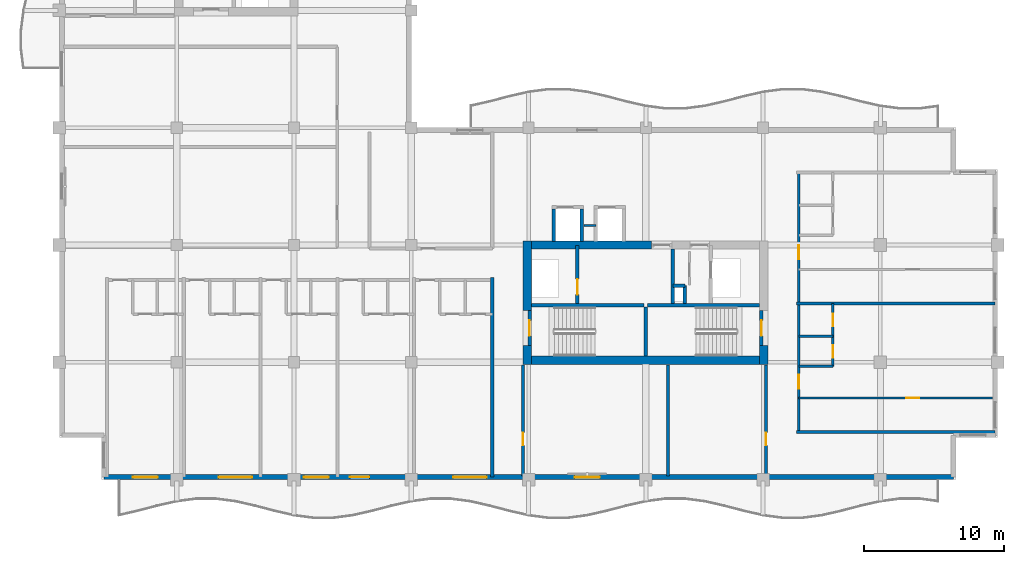
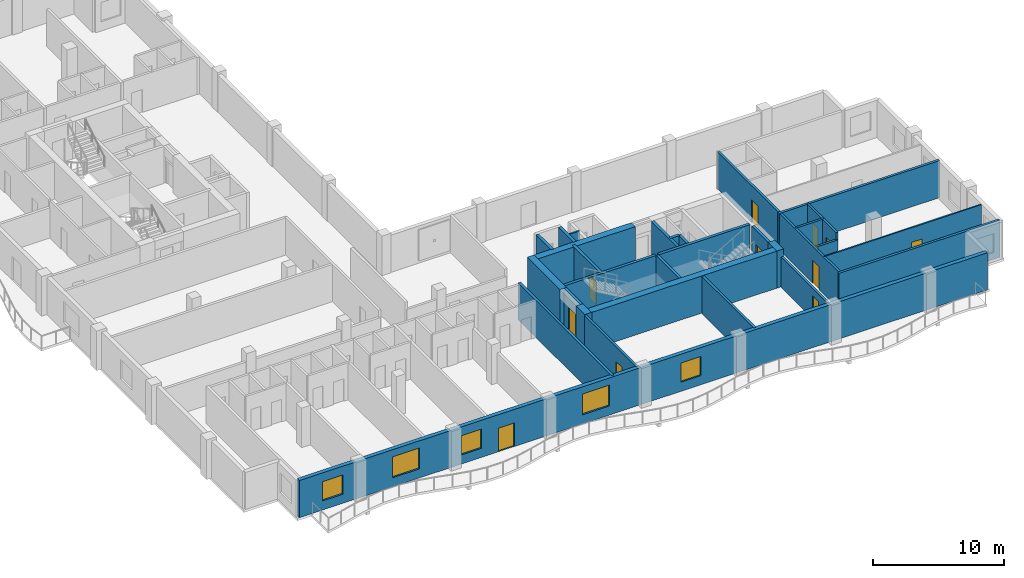
# One storey, part 4 of 12: 29 walls, 11 doors, 5 windows, 16 openings.
"""IFC4 building model written with IfcOpenShell, lengths in metres."""

from ifc_helpers import new_model, si_unit, direction, frame, frame_2d, origin, place, context, subcontext, project, spatial, rectangle, extrude, material, layer, layer_set, type_object, element, fill, save


model = new_model("IFC4")

# Units and contexts
model_context = context("Model", 3, precision=1e-05, world=origin(), true_north=direction((0.0, 1.0)))
body_context = subcontext(model_context, "Body", "Model", "MODEL_VIEW")
ifc_project = project(units=[si_unit("LENGTHUNIT", "METRE"), si_unit("AREAUNIT", "SQUARE_METRE"), si_unit("VOLUMEUNIT", "CUBIC_METRE"), si_unit("PLANEANGLEUNIT", "RADIAN"), si_unit("MASSUNIT", "GRAM", prefix="KILO")], contexts=[model_context])

# Site, building, storey
site_placement = place(None, origin())
site = spatial("IfcSite", under=ifc_project, at=site_placement, CompositionType="ELEMENT")
building_placement = place(site_placement, origin())
building = spatial("IfcBuilding", under=site, at=building_placement, Name="Koriwani Terraces Tower", CompositionType="ELEMENT")
storey_placement = place(building_placement, frame((0.0, 0.0, 278.60009765625)))
storey = spatial("IfcBuildingStorey", under=building, at=storey_placement, Name="L69", CompositionType="ELEMENT", Elevation=278.60009765625)

# Walls
ifc_material_1 = material(Name="Concrete C60/75", Category="concrete")
ifc_layer_1 = layer(ifc_material_1, 0.60009765625, Name="Concrete C60/75")
ifc_layer_set_1 = layer_set([ifc_layer_1], Name="Concrete C60/75")
wall_type_1 = type_object("IfcWallType", Name="WALL_CORE_RC_600", PredefinedType="SHEAR", material=ifc_layer_set_1)
wall_1_placement = place(storey_placement, frame((41.89990234375, 16.64990234375, 0.0), z_axis=(0.0, 0.0, 1.0), x_axis=(0.0, 1.0, 0.0)))
element("IfcWall", 1, at=wall_1_placement, inside=storey, type_object=wall_type_1, Name="L69 East Split Core Shear Wall W1", PredefinedType="SHEAR", context=body_context, shape_type="SweptSolid", body=[
    extrude(rectangle(XDim=1.35009765625, YDim=0.60009765625, at=frame_2d((0.675048828125, 0.0))), origin(), (0.0, 0.0, 1.0), 3.469970703125),
])
wall_2_placement = place(storey_placement, frame((41.89990234375, 20.5, 0.0), z_axis=(0.0, 0.0, 1.0), x_axis=(0.0, 1.0, 0.0)))
element("IfcWall", 2, at=wall_2_placement, inside=storey, type_object=wall_type_1, Name="L69 East Split Core Shear Wall W2", PredefinedType="SHEAR", context=body_context, shape_type="SweptSolid", body=[
    extrude(rectangle(XDim=5.0, YDim=0.60009765625, at=frame_2d((2.5, 0.0))), origin(), (0.0, 0.0, 1.0), 3.469970703125),
])
wall_3_placement = place(storey_placement, frame((58.85009765625, 16.64990234375, 0.0), z_axis=(0.0, 0.0, 1.0), x_axis=(0.0, 1.0, 0.0)))
element("IfcWall", 3, at=wall_3_placement, inside=storey, type_object=wall_type_1, Name="L69 East Split Core Shear Wall E1", PredefinedType="SHEAR", context=body_context, shape_type="SweptSolid", body=[
    extrude(rectangle(XDim=1.35009765625, YDim=0.60009765625, at=frame_2d((0.675048828125, 0.0))), origin(), (0.0, 0.0, 1.0), 3.469970703125),
])
wall_4_placement = place(storey_placement, frame((42.199951171875, 16.949951171875, 0.0), z_axis=(0.0, 0.0, 1.0), x_axis=(1.0, 0.0, 0.0)))
element("IfcWall", 4, at=wall_4_placement, inside=storey, type_object=wall_type_1, Name="L69 East Split Core Shear Wall S1", PredefinedType="SHEAR", context=body_context, shape_type="SweptSolid", body=[
    extrude(rectangle(XDim=16.35009765625, YDim=0.60009765625, at=frame_2d((8.175048828125, 0.0))), origin(), (0.0, 0.0, 1.0), 3.469970703125),
])
wall_5_placement = place(storey_placement, frame((42.199951171875, 25.199951171875, 0.0), z_axis=(0.0, 0.0, 1.0), x_axis=(1.0, 0.0, 0.0)))
element("IfcWall", 5, at=wall_5_placement, inside=storey, type_object=wall_type_1, Name="L69 East Split Core Shear Wall N1", PredefinedType="SHEAR", context=body_context, shape_type="SweptSolid", body=[
    extrude(rectangle(XDim=8.60009765625, YDim=0.60009765625, at=frame_2d((4.300048828125, 0.0))), origin(), (0.0, 0.0, 1.0), 3.469970703125),
])

# Wall, opening, door
ifc_material_2 = material(Name="Autoclaved Cellular Concrete Blockwork", Category="masonry")
ifc_layer_2 = layer(ifc_material_2, 0.199951171875, Name="Autoclaved Cellular Concrete Blockwork")
ifc_layer_set_2 = layer_set([ifc_layer_2], Name="Autoclaved Cellular Concrete Blockwork")
wall_type_2 = type_object("IfcWallType", Name="WALL_CORRIDOR_200", PredefinedType="PARTITIONING", material=ifc_layer_set_2)
wall_6_placement = place(storey_placement, frame((41.60009765625, 8.64990234375, 0.0), z_axis=(0.0, 0.0, 1.0), x_axis=(0.0, 1.0, 0.0)))
wall_6 = element("IfcWall", 6, at=wall_6_placement, inside=storey, type_object=wall_type_2, Name="L69 Interior Wall WRZ4-EW-L69", PredefinedType="PARTITIONING", context=body_context, shape_type="SweptSolid", body=[
    extrude(rectangle(XDim=7.9501953125, YDim=0.199951171875, at=frame_2d((3.97509765625, 0.0))), origin(), (0.0, 0.0, 1.0), 3.469970703125),
])
opening_1_placement = place(wall_6_placement, frame((2.199951171875, 0.0, 0.0)))
opening_1 = element("IfcOpeningElement", 7, at=opening_1_placement, cuts=wall_6, Name="Opening D-06", PredefinedType="OPENING", context=body_context, shape_type="SweptSolid", body=[
    extrude(rectangle(XDim=0.919921875, YDim=2.10009765625, at=frame_2d((0.4599609375, 1.050048828125))), frame((0.0, 0.10986328125, 0.0), z_axis=(0.0, -1.0, 0.0), x_axis=(1.0, 0.0, 0.0)), (0.0, 0.0, 1.0), 0.219970703125),
])
ifc_material_3 = material(Name="Architectural Oak Fire Door", Category="wood")
door_type_1 = type_object("IfcDoorType", Name="DOOR_ROOM_INT_920X2100", OperationType="NOTDEFINED", PredefinedType="DOOR", material=ifc_material_3)
door_1_placement = place(opening_1_placement, origin())
door_1 = element("IfcDoor", 8, at=door_1_placement, inside=storey, type_object=door_type_1, Name="L69 Resident Library Study Door", OperationType="SINGLE_SWING_RIGHT", OverallHeight=2.10009765625, OverallWidth=0.919921875, PredefinedType="DOOR", context=body_context, shape_type="SweptSolid", body=[
    extrude(rectangle(XDim=0.919921875, YDim=2.10009765625, at=frame_2d((0.4599609375, 1.050048828125))), frame((0.0, 0.02490234375, 0.0), z_axis=(0.0, -1.0, 0.0), x_axis=(1.0, 0.0, 0.0)), (0.0, 0.0, 1.0), 0.050048828125),
])
fill(opening_1, door_1)

wall_7_placement = place(storey_placement, frame((59.0, 8.64990234375, 0.0), z_axis=(0.0, 0.0, 1.0), x_axis=(0.0, 1.0, 0.0)))
wall_7 = element("IfcWall", 9, at=wall_7_placement, inside=storey, type_object=wall_type_2, Name="L69 Interior Wall WRZ4-EE-L69", PredefinedType="PARTITIONING", context=body_context, shape_type="SweptSolid", body=[
    extrude(rectangle(XDim=7.9501953125, YDim=0.199951171875, at=frame_2d((3.97509765625, 0.0))), origin(), (0.0, 0.0, 1.0), 2.81982421875),
])
opening_2_placement = place(wall_7_placement, frame((2.199951171875, 0.0, 0.0)))
opening_2 = element("IfcOpeningElement", 10, at=opening_2_placement, cuts=wall_7, Name="Opening D-06", PredefinedType="OPENING", context=body_context, shape_type="SweptSolid", body=[
    extrude(rectangle(XDim=0.919921875, YDim=2.10009765625, at=frame_2d((0.4599609375, 1.050048828125))), frame((0.0, 0.10986328125, 0.0), z_axis=(0.0, -1.0, 0.0), x_axis=(1.0, 0.0, 0.0)), (0.0, 0.0, 1.0), 0.219970703125),
])
door_2_placement = place(opening_2_placement, origin())
door_2 = element("IfcDoor", 11, at=door_2_placement, inside=storey, type_object=door_type_1, Name="L69 Resident Laundry Room Door", OperationType="SINGLE_SWING_LEFT", OverallHeight=2.10009765625, OverallWidth=0.919921875, PredefinedType="DOOR", context=body_context, shape_type="SweptSolid", body=[
    extrude(rectangle(XDim=0.919921875, YDim=2.10009765625, at=frame_2d((0.4599609375, 1.050048828125))), frame((0.0, 0.02490234375, 0.0), z_axis=(0.0, -1.0, 0.0), x_axis=(1.0, 0.0, 0.0)), (0.0, 0.0, 1.0), 0.050048828125),
])
fill(opening_2, door_2)

# Wall, openings, doors
wall_8_placement = place(storey_placement, frame((61.35009765625, 11.800048828125, 0.0), z_axis=(0.0, 0.0, 1.0), x_axis=(0.0, 1.0, 0.0)))
wall_8 = element("IfcWall", 12, at=wall_8_placement, inside=storey, type_object=wall_type_2, Name="L69 Interior Wall WRCOR-L69-ETE-0", PredefinedType="PARTITIONING", context=body_context, shape_type="SweptSolid", body=[
    extrude(rectangle(XDim=18.599853515625, YDim=0.199951171875, at=frame_2d((9.2998046875, 0.0))), origin(), (0.0, 0.0, 1.0), 3.469970703125),
])
opening_3_placement = place(wall_8_placement, frame((3.094970703125, 0.0, 0.0)))
opening_3 = element("IfcOpeningElement", 13, at=opening_3_placement, cuts=wall_8, Name="Opening D-05", PredefinedType="OPENING", context=body_context, shape_type="SweptSolid", body=[
    extrude(rectangle(XDim=1.0, YDim=2.14990234375, at=frame_2d((0.5, 1.074951171875))), frame((0.0, 0.10986328125, 0.0), z_axis=(0.0, -1.0, 0.0), x_axis=(1.0, 0.0, 0.0)), (0.0, 0.0, 1.0), 0.219970703125),
])
opening_4_placement = place(wall_8_placement, frame((12.39501953125, 0.0, 0.0)))
opening_4 = element("IfcOpeningElement", 14, at=opening_4_placement, cuts=wall_8, Name="Opening D-05", PredefinedType="OPENING", context=body_context, shape_type="SweptSolid", body=[
    extrude(rectangle(XDim=1.0, YDim=2.14990234375, at=frame_2d((0.5, 1.074951171875))), frame((0.0, 0.10986328125, 0.0), z_axis=(0.0, -1.0, 0.0), x_axis=(1.0, 0.0, 0.0)), (0.0, 0.0, 1.0), 0.219970703125),
])
door_type_2 = type_object("IfcDoorType", Name="DOOR_SUITE_ENTRY_1000X2150", OperationType="NOTDEFINED", PredefinedType="DOOR", material=ifc_material_3)
door_3_placement = place(opening_3_placement, origin())
door_3 = element("IfcDoor", 15, at=door_3_placement, inside=storey, type_object=door_type_2, Name="Apartment 69ETE1 Entrance Door", OperationType="SINGLE_SWING_RIGHT", OverallHeight=2.14990234375, OverallWidth=1.0, PredefinedType="DOOR", context=body_context, shape_type="SweptSolid", body=[
    extrude(rectangle(XDim=1.0, YDim=2.14990234375, at=frame_2d((0.5, 1.074951171875))), frame((0.0, 0.02490234375, 0.0), z_axis=(0.0, -1.0, 0.0), x_axis=(1.0, 0.0, 0.0)), (0.0, 0.0, 1.0), 0.050048828125),
])
fill(opening_3, door_3)
door_4_placement = place(opening_4_placement, origin())
door_4 = element("IfcDoor", 16, at=door_4_placement, inside=storey, type_object=door_type_2, Name="Apartment 69ETE2 Entrance Door", OperationType="SINGLE_SWING_RIGHT", OverallHeight=2.14990234375, OverallWidth=1.0, PredefinedType="DOOR", context=body_context, shape_type="SweptSolid", body=[
    extrude(rectangle(XDim=1.0, YDim=2.14990234375, at=frame_2d((0.5, 1.074951171875))), frame((0.0, 0.02490234375, 0.0), z_axis=(0.0, -1.0, 0.0), x_axis=(1.0, 0.0, 0.0)), (0.0, 0.0, 1.0), 0.050048828125),
])
fill(opening_4, door_4)

# Walls
ifc_layer_3 = layer(ifc_material_2, 0.219970703125, Name="Autoclaved Cellular Concrete Blockwork")
ifc_layer_set_3 = layer_set([ifc_layer_3], Name="Autoclaved Cellular Concrete Blockwork")
wall_type_3 = type_object("IfcWallType", Name="WALL_DEMISING_220", PredefinedType="PARTITIONING", material=ifc_layer_set_3)
wall_9_placement = place(storey_placement, frame((52.0, 8.64990234375, 0.0), z_axis=(0.0, 0.0, 1.0), x_axis=(0.0, 1.0, 0.0)))
element("IfcWall", 17, at=wall_9_placement, inside=storey, type_object=wall_type_3, Name="L69 Interior Wall WRZ4-EM-L69", PredefinedType="PARTITIONING", context=body_context, shape_type="SweptSolid", body=[
    extrude(rectangle(XDim=7.9501953125, YDim=0.219970703125, at=frame_2d((3.97509765625, 0.0))), origin(), (0.0, 0.0, 1.0), 3.469970703125),
])
wall_10_placement = place(storey_placement, frame((39.39990234375, 8.60009765625, 0.0), z_axis=(0.0, 0.0, 1.0), x_axis=(0.0, 1.0, 0.0)))
element("IfcWall", 18, at=wall_10_placement, inside=storey, type_object=wall_type_3, Name="L69 Interior Wall WRDEME-L69-SW", PredefinedType="PARTITIONING", context=body_context, shape_type="SweptSolid", body=[
    extrude(rectangle(XDim=14.27978515625, YDim=0.219970703125, at=frame_2d((7.139892578125, 0.0))), origin(), (0.0, 0.0, 1.0), 3.469970703125),
])
for number, where, z_axis, x_axis, name in (
    (19, (61.199951171875, 11.800048828125, 0.0), (0.0, 0.0, 1.0), (1.0, 0.0, 0.0), "L69 Interior Wall WRDEM-L69-ETE-0"),
    (20, (61.199951171875, 21.0, 0.0), (0.0, 0.0, 1.0), (1.0, 0.0, 0.0), "L69 Interior Wall WRDEM-L69-ETE-1"),
):
    element("IfcWall", number, at=place(storey_placement, frame(where, z_axis=z_axis, x_axis=x_axis)), inside=storey, type_object=wall_type_3, Name=name, PredefinedType="PARTITIONING", context=body_context, shape_type="SweptSolid", body=[
        extrude(rectangle(XDim=14.199951171875, YDim=0.219970703125, at=frame_2d((7.10009765625, 0.0))), origin(), (0.0, 0.0, 1.0), 3.469970703125),
    ])

# Wall, openings, door, windows
ifc_material_4 = material(Name="Concrete C50/60", Category="concrete")
ifc_layer_4 = layer(ifc_material_4, 0.35009765625, Name="Concrete C50/60")
ifc_layer_set_4 = layer_set([ifc_layer_4], Name="Concrete C50/60")
wall_type_4 = type_object("IfcWallType", Name="WALL_EXT_BRUTALIST_350", PredefinedType="STANDARD", material=ifc_layer_set_4)
wall_11_placement = place(storey_placement, frame((72.425048828125, 8.574951171875, 0.0), z_axis=(0.0, 0.0, 1.0), x_axis=(-1.0, 0.0, 0.0)))
wall_11 = element("IfcWall", 21, at=wall_11_placement, inside=storey, type_object=wall_type_4, Name="L69 Fair-Faced Brutalist Exterior Wall (S)", PredefinedType="STANDARD", context=body_context, shape_type="SweptSolid", body=[
    extrude(rectangle(XDim=60.85009765625, YDim=0.35009765625, at=frame_2d((30.425048828125, 0.0))), origin(), (0.0, 0.0, 1.0), 3.469970703125),
])
opening_5_placement = place(wall_11_placement, frame((41.824951171875, 0.0, 0.0)))
opening_5 = element("IfcOpeningElement", 22, at=opening_5_placement, cuts=wall_11, Name="Opening D-09", PredefinedType="OPENING", context=body_context, shape_type="SweptSolid", body=[
    extrude(rectangle(XDim=1.39990234375, YDim=2.199951171875, at=frame_2d((0.699951171875, 1.10009765625))), frame((0.0, 0.18505859375, 0.0), z_axis=(0.0, -1.0, 0.0), x_axis=(1.0, 0.0, 0.0)), (0.0, 0.0, 1.0), 0.3701171875),
])
opening_6_placement = place(wall_11_placement, frame((50.22509765625, 0.0, 0.85009765625)))
opening_6 = element("IfcOpeningElement", 23, at=opening_6_placement, cuts=wall_11, Name="Opening W-03", PredefinedType="OPENING", context=body_context, shape_type="SweptSolid", body=[
    extrude(rectangle(XDim=2.39990234375, YDim=1.949951171875, at=frame_2d((1.199951171875, 0.97509765625))), frame((0.0, 0.18505859375, 0.0), z_axis=(0.0, -1.0, 0.0), x_axis=(1.0, 0.0, 0.0)), (0.0, 0.0, 1.0), 0.3701171875),
])
opening_7_placement = place(wall_11_placement, frame((33.425048828125, 0.0, 0.85009765625)))
opening_7 = element("IfcOpeningElement", 24, at=opening_7_placement, cuts=wall_11, Name="Opening W-03", PredefinedType="OPENING", context=body_context, shape_type="SweptSolid", body=[
    extrude(rectangle(XDim=2.39990234375, YDim=1.949951171875, at=frame_2d((1.199951171875, 0.97509765625))), frame((0.0, 0.18505859375, 0.0), z_axis=(0.0, -1.0, 0.0), x_axis=(1.0, 0.0, 0.0)), (0.0, 0.0, 1.0), 0.3701171875),
])
opening_8_placement = place(wall_11_placement, frame((25.324951171875, 0.0, 0.85009765625)))
opening_8 = element("IfcOpeningElement", 25, at=opening_8_placement, cuts=wall_11, Name="Opening W-04", PredefinedType="OPENING", context=body_context, shape_type="SweptSolid", body=[
    extrude(rectangle(XDim=1.800048828125, YDim=1.800048828125, at=frame_2d((0.89990234375, 0.89990234375))), frame((0.0, 0.18505859375, 0.0), z_axis=(0.0, -1.0, 0.0), x_axis=(1.0, 0.0, 0.0)), (0.0, 0.0, 1.0), 0.3701171875),
])
opening_9_placement = place(wall_11_placement, frame((56.97509765625, 0.0, 0.85009765625)))
opening_9 = element("IfcOpeningElement", 26, at=opening_9_placement, cuts=wall_11, Name="Opening W-04", PredefinedType="OPENING", context=body_context, shape_type="SweptSolid", body=[
    extrude(rectangle(XDim=1.800048828125, YDim=1.800048828125, at=frame_2d((0.89990234375, 0.89990234375))), frame((0.0, 0.18505859375, 0.0), z_axis=(0.0, -1.0, 0.0), x_axis=(1.0, 0.0, 0.0)), (0.0, 0.0, 1.0), 0.3701171875),
])
opening_10_placement = place(wall_11_placement, frame((44.72509765625, 0.0, 0.85009765625)))
opening_10 = element("IfcOpeningElement", 27, at=opening_10_placement, cuts=wall_11, Name="Opening W-04", PredefinedType="OPENING", context=body_context, shape_type="SweptSolid", body=[
    extrude(rectangle(XDim=1.800048828125, YDim=1.800048828125, at=frame_2d((0.89990234375, 0.89990234375))), frame((0.0, 0.18505859375, 0.0), z_axis=(0.0, -1.0, 0.0), x_axis=(1.0, 0.0, 0.0)), (0.0, 0.0, 1.0), 0.3701171875),
])
ifc_material_5 = material(Name="Anodised Bronze Aluminium", Category="aluminium")
door_type_3 = type_object("IfcDoorType", Name="DOOR_BALCONY_GLAZED_1400X2200", OperationType="NOTDEFINED", PredefinedType="DOOR", material=ifc_material_5)
door_5_placement = place(opening_5_placement, origin())
door_5 = element("IfcDoor", 28, at=door_5_placement, inside=storey, type_object=door_type_3, Name="L69 South Balcony Glazed Door", OperationType="SINGLE_SWING_LEFT", OverallHeight=2.199951171875, OverallWidth=1.39990234375, PredefinedType="DOOR", context=body_context, shape_type="SweptSolid", body=[
    extrude(rectangle(XDim=1.39990234375, YDim=2.199951171875, at=frame_2d((0.699951171875, 1.10009765625))), frame((0.0, 0.02490234375, 0.0), z_axis=(0.0, -1.0, 0.0), x_axis=(1.0, 0.0, 0.0)), (0.0, 0.0, 1.0), 0.050048828125),
])
fill(opening_5, door_5)
ifc_material_6 = material(Name="Tempered Laminated Low-E Glass", Category="glass")
window_type_1 = type_object("IfcWindowType", Name="WIN_RES_BED_1800X1800", PartitioningType="DOUBLE_PANEL_VERTICAL", PredefinedType="WINDOW", material=ifc_material_6)
window_1_placement = place(opening_8_placement, origin())
window_1 = element("IfcWindow", 29, at=window_1_placement, inside=storey, type_object=window_type_1, Name="L69 Exterior Window (S-12)", OverallHeight=1.800048828125, OverallWidth=1.800048828125, PartitioningType="SINGLE_PANEL", PredefinedType="WINDOW", context=body_context, shape_type="SweptSolid", body=[
    extrude(rectangle(XDim=1.800048828125, YDim=1.800048828125, at=frame_2d((0.89990234375, 0.89990234375))), frame((0.0, 0.030029296875, 0.0), z_axis=(0.0, -1.0, 0.0), x_axis=(1.0, 0.0, 0.0)), (0.0, 0.0, 1.0), 0.06005859375),
])
fill(opening_8, window_1)
window_2_placement = place(opening_9_placement, origin())
window_2 = element("IfcWindow", 30, at=window_2_placement, inside=storey, type_object=window_type_1, Name="L69 Exterior Window (S-R32)", OverallHeight=1.800048828125, OverallWidth=1.800048828125, PartitioningType="SINGLE_PANEL", PredefinedType="WINDOW", context=body_context, shape_type="SweptSolid", body=[
    extrude(rectangle(XDim=1.800048828125, YDim=1.800048828125, at=frame_2d((0.89990234375, 0.89990234375))), frame((0.0, 0.030029296875, 0.0), z_axis=(0.0, -1.0, 0.0), x_axis=(1.0, 0.0, 0.0)), (0.0, 0.0, 1.0), 0.06005859375),
])
fill(opening_9, window_2)
window_3_placement = place(opening_10_placement, origin())
window_3 = element("IfcWindow", 31, at=window_3_placement, inside=storey, type_object=window_type_1, Name="L69 Exterior Window (S-R38)", OverallHeight=1.800048828125, OverallWidth=1.800048828125, PartitioningType="SINGLE_PANEL", PredefinedType="WINDOW", context=body_context, shape_type="SweptSolid", body=[
    extrude(rectangle(XDim=1.800048828125, YDim=1.800048828125, at=frame_2d((0.89990234375, 0.89990234375))), frame((0.0, 0.030029296875, 0.0), z_axis=(0.0, -1.0, 0.0), x_axis=(1.0, 0.0, 0.0)), (0.0, 0.0, 1.0), 0.06005859375),
])
fill(opening_10, window_3)
window_type_2 = type_object("IfcWindowType", Name="WIN_RES_LIVING_2400X1950", PartitioningType="DOUBLE_PANEL_VERTICAL", PredefinedType="WINDOW", material=ifc_material_6)
window_4_placement = place(opening_6_placement, origin())
window_4 = element("IfcWindow", 32, at=window_4_placement, inside=storey, type_object=window_type_2, Name="L69 Exterior Window (S-3)", OverallHeight=1.949951171875, OverallWidth=2.39990234375, PartitioningType="SINGLE_PANEL", PredefinedType="WINDOW", context=body_context, shape_type="SweptSolid", body=[
    extrude(rectangle(XDim=2.39990234375, YDim=1.949951171875, at=frame_2d((1.199951171875, 0.97509765625))), frame((0.0, 0.030029296875, 0.0), z_axis=(0.0, -1.0, 0.0), x_axis=(1.0, 0.0, 0.0)), (0.0, 0.0, 1.0), 0.06005859375),
])
fill(opening_6, window_4)
window_5_placement = place(opening_7_placement, origin())
window_5 = element("IfcWindow", 33, at=window_5_placement, inside=storey, type_object=window_type_2, Name="L69 Exterior Window (S-9)", OverallHeight=1.949951171875, OverallWidth=2.39990234375, PartitioningType="SINGLE_PANEL", PredefinedType="WINDOW", context=body_context, shape_type="SweptSolid", body=[
    extrude(rectangle(XDim=2.39990234375, YDim=1.949951171875, at=frame_2d((1.199951171875, 0.97509765625))), frame((0.0, 0.030029296875, 0.0), z_axis=(0.0, -1.0, 0.0), x_axis=(1.0, 0.0, 0.0)), (0.0, 0.0, 1.0), 0.06005859375),
])
fill(opening_7, window_5)

# Wall, opening, door
ifc_material_7 = material(Name="Fire-Rated Acoustic Gypsum Partition", Category="masonry")
ifc_layer_5 = layer(ifc_material_7, 0.125, Name="Fire-Rated Acoustic Gypsum Partition")
ifc_layer_set_5 = layer_set([ifc_layer_5], Name="Fire-Rated Acoustic Gypsum Partition")
wall_type_5 = type_object("IfcWallType", Name="WALL_INT_125", PredefinedType="PARTITIONING", material=ifc_layer_set_5)
wall_12_placement = place(storey_placement, frame((61.35009765625, 14.25, 0.0), z_axis=(0.0, 0.0, 1.0), x_axis=(1.0, 0.0, 0.0)))
wall_12 = element("IfcWall", 34, at=wall_12_placement, inside=storey, type_object=wall_type_5, Name="L69 Interior Wall WRBED1-L69-ETE-0", PredefinedType="PARTITIONING", context=body_context, shape_type="SweptSolid", body=[
    extrude(rectangle(XDim=13.869873046875, YDim=0.125, at=frame_2d((6.93505859375, 0.0))), origin(), (0.0, 0.0, 1.0), 3.469970703125),
])
opening_11_placement = place(wall_12_placement, frame((7.699951171875, 0.0, 0.0)))
opening_11 = element("IfcOpeningElement", 35, at=opening_11_placement, cuts=wall_12, Name="Opening D-06", PredefinedType="OPENING", context=body_context, shape_type="SweptSolid", body=[
    extrude(rectangle(XDim=0.919921875, YDim=2.10009765625, at=frame_2d((0.4599609375, 1.050048828125))), frame((0.0, 0.072509765625, 0.0), z_axis=(0.0, -1.0, 0.0), x_axis=(1.0, 0.0, 0.0)), (0.0, 0.0, 1.0), 0.14501953125),
])
door_6_placement = place(opening_11_placement, origin())
door_6 = element("IfcDoor", 36, at=door_6_placement, inside=storey, type_object=door_type_1, Name="Apartment 69ETE1 Master Bedroom Door", OperationType="SINGLE_SWING_LEFT", OverallHeight=2.10009765625, OverallWidth=0.919921875, PredefinedType="DOOR", context=body_context, shape_type="SweptSolid", body=[
    extrude(rectangle(XDim=0.919921875, YDim=2.10009765625, at=frame_2d((0.4599609375, 1.050048828125))), frame((0.0, 0.02490234375, 0.0), z_axis=(0.0, -1.0, 0.0), x_axis=(1.0, 0.0, 0.0)), (0.0, 0.0, 1.0), 0.050048828125),
])
fill(opening_11, door_6)

# Wall, openings, doors
ifc_layer_6 = layer(ifc_material_7, 0.179931640625, Name="Fire-Rated Acoustic Gypsum Partition")
ifc_layer_set_6 = layer_set([ifc_layer_6], Name="Fire-Rated Acoustic Gypsum Partition")
wall_type_6 = type_object("IfcWallType", Name="WALL_PLUMBING_180", PredefinedType="PLUMBINGWALL", material=ifc_layer_set_6)
wall_13_placement = place(storey_placement, frame((63.800048828125, 16.5, 0.0), z_axis=(0.0, 0.0, 1.0), x_axis=(0.0, 1.0, 0.0)))
wall_13 = element("IfcWall", 37, at=wall_13_placement, inside=storey, type_object=wall_type_6, Name="L69 Interior Wall WRSVC-L69-ETE-0", PredefinedType="PLUMBINGWALL", context=body_context, shape_type="SweptSolid", body=[
    extrude(rectangle(XDim=4.5, YDim=0.179931640625, at=frame_2d((2.25, 0.0))), origin(), (0.0, 0.0, 1.0), 3.469970703125),
])
opening_12_placement = place(wall_13_placement, frame((0.6298828125, 0.0, 0.0)))
opening_12 = element("IfcOpeningElement", 38, at=opening_12_placement, cuts=wall_13, Name="Opening D-07", PredefinedType="OPENING", context=body_context, shape_type="SweptSolid", body=[
    extrude(rectangle(XDim=0.89990234375, YDim=2.10009765625, at=frame_2d((0.449951171875, 1.050048828125))), frame((0.0, 0.10009765625, 0.0), z_axis=(0.0, -1.0, 0.0), x_axis=(1.0, 0.0, 0.0)), (0.0, 0.0, 1.0), 0.199951171875),
])
opening_13_placement = place(wall_13_placement, frame((2.8701171875, 0.0, 0.0)))
opening_13 = element("IfcOpeningElement", 39, at=opening_13_placement, cuts=wall_13, Name="Opening D-06", PredefinedType="OPENING", context=body_context, shape_type="SweptSolid", body=[
    extrude(rectangle(XDim=0.919921875, YDim=2.10009765625, at=frame_2d((0.4599609375, 1.050048828125))), frame((0.0, 0.10009765625, 0.0), z_axis=(0.0, -1.0, 0.0), x_axis=(1.0, 0.0, 0.0)), (0.0, 0.0, 1.0), 0.199951171875),
])
door_type_4 = type_object("IfcDoorType", Name="DOOR_BATH_INT_900X2100", OperationType="NOTDEFINED", PredefinedType="DOOR", material=ifc_material_3)
door_7_placement = place(opening_12_placement, origin())
door_7 = element("IfcDoor", 40, at=door_7_placement, inside=storey, type_object=door_type_4, Name="Apartment 69ETE1 Bathroom Door", OperationType="SINGLE_SWING_LEFT", OverallHeight=2.10009765625, OverallWidth=0.89990234375, PredefinedType="DOOR", context=body_context, shape_type="SweptSolid", body=[
    extrude(rectangle(XDim=0.89990234375, YDim=2.10009765625, at=frame_2d((0.449951171875, 1.050048828125))), frame((0.0, 0.02490234375, 0.0), z_axis=(0.0, -1.0, 0.0), x_axis=(1.0, 0.0, 0.0)), (0.0, 0.0, 1.0), 0.050048828125),
])
fill(opening_12, door_7)
door_8_placement = place(opening_13_placement, origin())
door_8 = element("IfcDoor", 41, at=door_8_placement, inside=storey, type_object=door_type_1, Name="Apartment 69ETE1 Kitchen Door", OperationType="SINGLE_SWING_RIGHT", OverallHeight=2.10009765625, OverallWidth=0.919921875, PredefinedType="DOOR", context=body_context, shape_type="SweptSolid", body=[
    extrude(rectangle(XDim=0.919921875, YDim=2.10009765625, at=frame_2d((0.4599609375, 1.050048828125))), frame((0.0, 0.02490234375, 0.0), z_axis=(0.0, -1.0, 0.0), x_axis=(1.0, 0.0, 0.0)), (0.0, 0.0, 1.0), 0.050048828125),
])
fill(opening_13, door_8)

# Walls
wall_14_placement = place(storey_placement, frame((61.35009765625, 16.5, 0.0), z_axis=(0.0, 0.0, 1.0), x_axis=(1.0, 0.0, 0.0)))
element("IfcWall", 42, at=wall_14_placement, inside=storey, type_object=wall_type_6, Name="L69 Interior Wall WRSVCS-L69-ETE-0", PredefinedType="PLUMBINGWALL", context=body_context, shape_type="SweptSolid", body=[
    extrude(rectangle(XDim=2.449951171875, YDim=0.179931640625, at=frame_2d((1.22509765625, 0.0))), origin(), (0.0, 0.0, 1.0), 2.81982421875),
])
wall_15_placement = place(storey_placement, frame((61.35009765625, 18.659912109375, 0.0), z_axis=(0.0, 0.0, 1.0), x_axis=(1.0, 0.0, 0.0)))
element("IfcWall", 43, at=wall_15_placement, inside=storey, type_object=wall_type_6, Name="L69 Interior Wall WRSVCM-L69-ETE-0", PredefinedType="PLUMBINGWALL", context=body_context, shape_type="SweptSolid", body=[
    extrude(rectangle(XDim=2.449951171875, YDim=0.179931640625, at=frame_2d((1.22509765625, 0.0))), origin(), (0.0, 0.0, 1.0), 3.469970703125),
])
ifc_material_8 = material(Name="Concrete C40/50", Category="concrete")
ifc_layer_7 = layer(ifc_material_8, 0.25, Name="Concrete C40/50")
ifc_layer_set_7 = layer_set([ifc_layer_7], Name="Concrete C40/50")
wall_type_7 = type_object("IfcWallType", Name="WALL_SHAFT_RATED_250", PredefinedType="SOLIDWALL", material=ifc_layer_set_7)
for number, where, z_axis, x_axis, name in (
    (44, (42.199951171875, 20.875, 0.0), (0.0, 0.0, 1.0), (1.0, 0.0, 0.0), "L69 East Split Core Web Wall MID1"),
    (45, (50.5, 20.875, 0.0), (0.0, 0.0, 1.0), (1.0, 0.0, 0.0), "L69 East Split Core Web Wall MID2"),
):
    element("IfcWall", number, at=place(storey_placement, frame(where, z_axis=z_axis, x_axis=x_axis)), inside=storey, type_object=wall_type_7, Name=name, PredefinedType="SOLIDWALL", context=body_context, shape_type="SweptSolid", body=[
        extrude(rectangle(XDim=8.050048828125, YDim=0.25, at=frame_2d((4.02490234375, 0.0))), origin(), (0.0, 0.0, 1.0), 3.469970703125),
    ])
wall_16_placement = place(storey_placement, frame((50.375, 17.25, 0.0), z_axis=(0.0, 0.0, 1.0), x_axis=(0.0, 1.0, 0.0)))
element("IfcWall", 46, at=wall_16_placement, inside=storey, type_object=wall_type_7, Name="L69 East Split Core Stair Dividing Wall", PredefinedType="SOLIDWALL", context=body_context, shape_type="SweptSolid", body=[
    extrude(rectangle(XDim=3.5, YDim=0.25, at=frame_2d((1.75, 0.0))), origin(), (0.0, 0.0, 1.0), 3.469970703125),
])

# Wall, opening, door
wall_17_placement = place(storey_placement, frame((42.074951171875, 18.0, 0.0), z_axis=(0.0, 0.0, 1.0), x_axis=(0.0, 1.0, 0.0)))
wall_17 = element("IfcWall", 47, at=wall_17_placement, inside=storey, type_object=wall_type_7, Name="L69 Interior Wall WIN-CE-L69-STW", PredefinedType="SOLIDWALL", context=body_context, shape_type="SweptSolid", body=[
    extrude(rectangle(XDim=2.5, YDim=0.25, at=frame_2d((1.25, 0.0))), origin(), (0.0, 0.0, 1.0), 3.469970703125),
])
opening_14_placement = place(wall_17_placement, frame((0.699951171875, 0.0, 0.0)))
opening_14 = element("IfcOpeningElement", 48, at=opening_14_placement, cuts=wall_17, Name="Opening D-03", PredefinedType="OPENING", context=body_context, shape_type="SweptSolid", body=[
    extrude(rectangle(XDim=1.10009765625, YDim=2.14990234375, at=frame_2d((0.550048828125, 1.074951171875))), frame((0.0, 0.135009765625, 0.0), z_axis=(0.0, -1.0, 0.0), x_axis=(1.0, 0.0, 0.0)), (0.0, 0.0, 1.0), 0.27001953125),
])
ifc_material_9 = material(Name="Steel ASTM A572 Grade 50", Category="steel")
door_type_5 = type_object("IfcDoorType", Name="DOOR_STAIR_FIRE_1100X2150", OperationType="NOTDEFINED", PredefinedType="DOOR", material=ifc_material_9)
door_9_placement = place(opening_14_placement, origin())
door_9 = element("IfcDoor", 49, at=door_9_placement, inside=storey, type_object=door_type_5, Name="L69 Exit Stair ST-E1 Door", OperationType="SINGLE_SWING_RIGHT", OverallHeight=2.14990234375, OverallWidth=1.10009765625, PredefinedType="DOOR", context=body_context, shape_type="SweptSolid", body=[
    extrude(rectangle(XDim=1.10009765625, YDim=2.14990234375, at=frame_2d((0.550048828125, 1.074951171875))), frame((0.0, 0.02490234375, 0.0), z_axis=(0.0, -1.0, 0.0), x_axis=(1.0, 0.0, 0.0)), (0.0, 0.0, 1.0), 0.050048828125),
])
fill(opening_14, door_9)

wall_18_placement = place(storey_placement, frame((58.675048828125, 18.0, 0.0), z_axis=(0.0, 0.0, 1.0), x_axis=(0.0, 1.0, 0.0)))
wall_18 = element("IfcWall", 50, at=wall_18_placement, inside=storey, type_object=wall_type_7, Name="L69 Interior Wall WIN-CE-L69-STE", PredefinedType="SOLIDWALL", context=body_context, shape_type="SweptSolid", body=[
    extrude(rectangle(XDim=2.5, YDim=0.25, at=frame_2d((1.25, 0.0))), origin(), (0.0, 0.0, 1.0), 3.469970703125),
])
opening_15_placement = place(wall_18_placement, frame((0.699951171875, 0.0, 0.0)))
opening_15 = element("IfcOpeningElement", 51, at=opening_15_placement, cuts=wall_18, Name="Opening D-03", PredefinedType="OPENING", context=body_context, shape_type="SweptSolid", body=[
    extrude(rectangle(XDim=1.10009765625, YDim=2.14990234375, at=frame_2d((0.550048828125, 1.074951171875))), frame((0.0, 0.135009765625, 0.0), z_axis=(0.0, -1.0, 0.0), x_axis=(1.0, 0.0, 0.0)), (0.0, 0.0, 1.0), 0.27001953125),
])
door_10_placement = place(opening_15_placement, origin())
door_10 = element("IfcDoor", 52, at=door_10_placement, inside=storey, type_object=door_type_5, Name="L69 Exit Stair ST-E2 Door", OperationType="SINGLE_SWING_LEFT", OverallHeight=2.14990234375, OverallWidth=1.10009765625, PredefinedType="DOOR", context=body_context, shape_type="SweptSolid", body=[
    extrude(rectangle(XDim=1.10009765625, YDim=2.14990234375, at=frame_2d((0.550048828125, 1.074951171875))), frame((0.0, 0.02490234375, 0.0), z_axis=(0.0, -1.0, 0.0), x_axis=(1.0, 0.0, 0.0)), (0.0, 0.0, 1.0), 0.050048828125),
])
fill(opening_15, door_10)

wall_19_placement = place(storey_placement, frame((45.5, 21.0, 0.0), z_axis=(0.0, 0.0, 1.0), x_axis=(0.0, 1.0, 0.0)))
wall_19 = element("IfcWall", 53, at=wall_19_placement, inside=storey, type_object=wall_type_7, Name="L69 Interior Wall WIN-CE-L69-FE", PredefinedType="SOLIDWALL", context=body_context, shape_type="SweptSolid", body=[
    extrude(rectangle(XDim=4.14990234375, YDim=0.25, at=frame_2d((2.074951171875, 0.0))), origin(), (0.0, 0.0, 1.0), 3.469970703125),
])
opening_16_placement = place(wall_19_placement, frame((0.64990234375, 0.0, 0.0)))
opening_16 = element("IfcOpeningElement", 54, at=opening_16_placement, cuts=wall_19, Name="Opening LD-01", PredefinedType="OPENING", context=body_context, shape_type="SweptSolid", body=[
    extrude(rectangle(XDim=1.10009765625, YDim=2.14990234375, at=frame_2d((0.550048828125, 1.074951171875))), frame((0.0, 0.135009765625, 0.0), z_axis=(0.0, -1.0, 0.0), x_axis=(1.0, 0.0, 0.0)), (0.0, 0.0, 1.0), 0.27001953125),
])
door_type_6 = type_object("IfcDoorType", Name="DOOR_LIFT_LANDING_1100X2200", OperationType="NOTDEFINED", PredefinedType="DOOR", material=ifc_material_9)
door_11_placement = place(opening_16_placement, origin())
door_11 = element("IfcDoor", 55, at=door_11_placement, inside=storey, type_object=door_type_6, Name="L69 Firefighting Lift FE-02 Landing Door", OperationType="SLIDING_TO_LEFT", OverallHeight=2.14990234375, OverallWidth=1.10009765625, PredefinedType="DOOR", context=body_context, shape_type="SweptSolid", body=[
    extrude(rectangle(XDim=1.10009765625, YDim=2.14990234375, at=frame_2d((0.550048828125, 1.074951171875))), frame((0.0, 0.02490234375, 0.0), z_axis=(0.0, -1.0, 0.0), x_axis=(1.0, 0.0, 0.0)), (0.0, 0.0, 1.0), 0.050048828125),
])
fill(opening_16, door_11)

# Walls
wall_20_placement = place(storey_placement, frame((52.340087890625, 21.0, 0.0), z_axis=(0.0, 0.0, 1.0), x_axis=(0.0, 1.0, 0.0)))
element("IfcWall", 56, at=wall_20_placement, inside=storey, type_object=wall_type_7, Name="L69 Interior Wall WIN-CE-L69-FFE", PredefinedType="SOLIDWALL", context=body_context, shape_type="SweptSolid", body=[
    extrude(rectangle(XDim=3.89990234375, YDim=0.25, at=frame_2d((1.949951171875, 0.0))), origin(), (0.0, 0.0, 1.0), 3.469970703125),
])
wall_21_placement = place(storey_placement, frame((53.199951171875, 21.0, 0.0), z_axis=(0.0, 0.0, 1.0), x_axis=(0.0, 1.0, 0.0)))
element("IfcWall", 57, at=wall_21_placement, inside=storey, type_object=wall_type_7, Name="L69 Interior Wall WIN-CE-L69-RS1", PredefinedType="SOLIDWALL", context=body_context, shape_type="SweptSolid", body=[
    extrude(rectangle(XDim=1.300048828125, YDim=0.25, at=frame_2d((0.64990234375, 0.0))), origin(), (0.0, 0.0, 1.0), 3.469970703125),
])
wall_22_placement = place(storey_placement, frame((52.360107421875, 22.300048828125, 0.0), z_axis=(0.0, 0.0, 1.0), x_axis=(1.0, 0.0, 0.0)))
element("IfcWall", 58, at=wall_22_placement, inside=storey, type_object=wall_type_7, Name="L69 Interior Wall WIN-CE-L69-RS2", PredefinedType="SOLIDWALL", context=body_context, shape_type="SweptSolid", body=[
    extrude(rectangle(XDim=0.83984375, YDim=0.25, at=frame_2d((0.419921875, 0.0))), origin(), (0.0, 0.0, 1.0), 3.469970703125),
])
for number, where, z_axis, x_axis, name in (
    (59, (43.800048828125, 25.449951171875, 0.0), (0.0, 0.0, 1.0), (0.0, 1.0, 0.0), "L69 Interior Wall WIN-LF-PE-H3-L69-W"),
    (60, (45.800048828125, 25.449951171875, 0.0), (0.0, 0.0, 1.0), (0.0, 1.0, 0.0), "L69 Interior Wall WIN-LF-PE-H3-L69-E"),
):
    element("IfcWall", number, at=place(storey_placement, frame(where, z_axis=z_axis, x_axis=x_axis)), inside=storey, type_object=wall_type_7, Name=name, PredefinedType="SOLIDWALL", context=body_context, shape_type="SweptSolid", body=[
        extrude(rectangle(XDim=2.324951171875, YDim=0.25, at=frame_2d((1.16259765625, 0.0))), origin(), (0.0, 0.0, 1.0), 3.469970703125),
    ])
ifc_layer_8 = layer(ifc_material_7, 0.159912109375, Name="Fire-Rated Acoustic Gypsum Partition")
ifc_layer_set_8 = layer_set([ifc_layer_8], Name="Fire-Rated Acoustic Gypsum Partition")
wall_type_8 = type_object("IfcWallType", Name="WALL_SUITE_160", PredefinedType="PARTITIONING", material=ifc_layer_set_8)
wall_23_placement = place(storey_placement, frame((45.9599609375, 26.60009765625, 0.0), z_axis=(0.0, 0.0, 1.0), x_axis=(1.0, 0.0, 0.0)))
element("IfcWall", 61, at=wall_23_placement, inside=storey, type_object=wall_type_8, Name="L69 Interior Wall WIN-LF-PEH34-MID-L69", PredefinedType="PARTITIONING", context=body_context, shape_type="SweptSolid", body=[
    extrude(rectangle(XDim=0.880126953125, YDim=0.159912109375, at=frame_2d((0.43994140625, 0.0))), origin(), (0.0, 0.0, 1.0), 3.469970703125),
])

save(model, "model.ifc")
